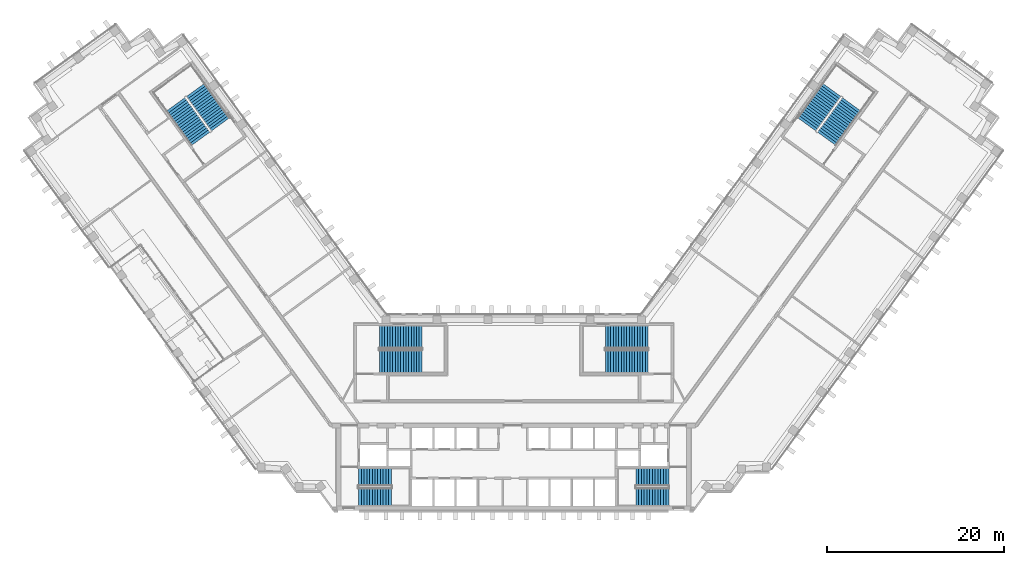
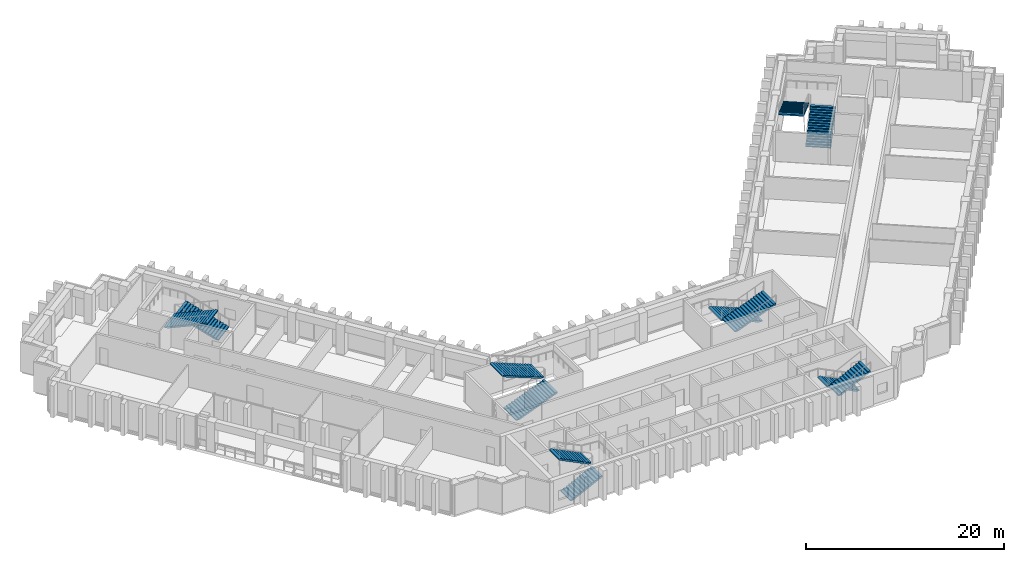
# One storey, part 13 of 16: 12 stair flights, 6 elements without a shape of their own.
"""IFC4 building model written with IfcOpenShell, lengths in metres."""

from ifc_helpers import new_model, si_unit, direction, frame, origin, place, context, subcontext, project, spatial, polyline, outline, extrude, material, type_object, element, aggregate, save


model = new_model("IFC4")

# Units and contexts
model_context = context("Model", 3, precision=1e-05, world=origin(), true_north=direction((0.0, 1.0)))
body_context = subcontext(model_context, "Body", "Model", "MODEL_VIEW")
ifc_project = project(units=[si_unit("LENGTHUNIT", "METRE"), si_unit("AREAUNIT", "SQUARE_METRE"), si_unit("VOLUMEUNIT", "CUBIC_METRE"), si_unit("PLANEANGLEUNIT", "RADIAN"), si_unit("MASSUNIT", "GRAM", prefix="KILO")], contexts=[model_context])

# Site, building, storey
site_placement = place(None, origin())
site = spatial("IfcSite", under=ifc_project, at=site_placement, CompositionType="ELEMENT")
building_placement = place(site_placement, origin())
building = spatial("IfcBuilding", under=site, at=building_placement, Name="Quipu Civic Tower", CompositionType="ELEMENT")
storey_placement = place(building_placement, frame((0.0, 0.0, 51.0)))
storey = spatial("IfcBuildingStorey", under=building, at=storey_placement, Name="L11", CompositionType="ELEMENT", Elevation=51.0)

# Stair, stair flights
ifc_material_1 = material(Name="Concrete C40/50", Category="concrete")
stair_type_1 = type_object("IfcStairType", Name="Half turn stair 2000", PredefinedType="HALF_TURN_STAIR", material=ifc_material_1)
stair_1_placement = place(storey_placement, origin())
stair_1 = element("IfcStair", 1, at=stair_1_placement, inside=storey, type_object=stair_type_1, Name="Exit stair 1", PredefinedType="HALF_TURN_STAIR")
ifc_material_2 = material(Name="Concrete C40/50", Category="concrete")
stair_flight_type_1 = type_object("IfcStairFlightType", Name="Stair flight 2000", PredefinedType="STRAIGHT", material=ifc_material_2)
stair_flight_1_placement = place(storey_placement, frame((-17.5, -9.5, 0.0), z_axis=(0.0, 0.0, 1.0), x_axis=(1.0, 0.0, 0.0)))
stair_flight_1 = element("IfcStairFlight", 2, at=stair_flight_1_placement, type_object=stair_flight_type_1, Name="ST-1 flight 1", NumberOfRisers=13, NumberOfTreads=12, PredefinedType="STRAIGHT", RiserHeight=0.153846154, TreadLength=0.31, context=body_context, shape_type="SweptSolid", body=[
    extrude(outline(polyline([(0.0, 0.0), (0.0, 0.15380859375), (0.31005859375, 0.15380859375), (0.31005859375, 0.3076171875), (0.6201171875, 0.3076171875), (0.6201171875, 0.46142578125), (0.929931640625, 0.46142578125), (0.929931640625, 0.615478515625), (1.239990234375, 0.615478515625), (1.239990234375, 0.769287109375), (1.550048828125, 0.769287109375), (1.550048828125, 0.923095703125), (1.860107421875, 0.923095703125), (1.860107421875, 1.076904296875), (2.169921875, 1.076904296875), (2.169921875, 1.230712890625), (2.47998046875, 1.230712890625), (2.47998046875, 1.384521484375), (2.7900390625, 1.384521484375), (2.7900390625, 1.53857421875), (3.10009765625, 1.53857421875), (3.10009765625, 1.6923828125), (3.409912109375, 1.6923828125), (3.409912109375, 1.84619140625), (3.719970703125, 1.84619140625), (3.719970703125, 2.0), (3.719970703125, 1.6787109375), (0.337158203125, 0.0), (0.0, 0.0)])), frame((0.0, 1.0, 0.0), z_axis=(0.0, -1.0, 0.0), x_axis=(1.0, 0.0, 0.0)), (0.0, 0.0, 1.0), 2.0),
])
stair_flight_2_placement = place(storey_placement, frame((-13.780029296875, -7.25, 2.0), z_axis=(0.0, 0.0, 1.0), x_axis=(-1.0, 0.0, 0.0)))
stair_flight_2 = element("IfcStairFlight", 3, at=stair_flight_2_placement, type_object=stair_flight_type_1, Name="ST-1 flight 2", NumberOfRisers=13, NumberOfTreads=12, PredefinedType="STRAIGHT", RiserHeight=0.153846154, TreadLength=0.31, context=body_context, shape_type="SweptSolid", body=[
    extrude(outline(polyline([(0.0, 0.0), (0.0, 0.15380859375), (0.31005859375, 0.15380859375), (0.31005859375, 0.3076171875), (0.6201171875, 0.3076171875), (0.6201171875, 0.46142578125), (0.929931640625, 0.46142578125), (0.929931640625, 0.615478515625), (1.239990234375, 0.615478515625), (1.239990234375, 0.769287109375), (1.550048828125, 0.769287109375), (1.550048828125, 0.923095703125), (1.860107421875, 0.923095703125), (1.860107421875, 1.076904296875), (2.169921875, 1.076904296875), (2.169921875, 1.230712890625), (2.47998046875, 1.230712890625), (2.47998046875, 1.384521484375), (2.7900390625, 1.384521484375), (2.7900390625, 1.53857421875), (3.10009765625, 1.53857421875), (3.10009765625, 1.6923828125), (3.409912109375, 1.6923828125), (3.409912109375, 1.84619140625), (3.719970703125, 1.84619140625), (3.719970703125, 2.0), (3.719970703125, 1.6787109375), (0.337158203125, 0.0), (0.0, 0.0)])), frame((0.0, 1.0, 0.0), z_axis=(0.0, -1.0, 0.0), x_axis=(1.0, 0.0, 0.0)), (0.0, 0.0, 1.0), 2.0),
])
aggregate(stair_1, [stair_flight_1, stair_flight_2])

stair_2_placement = place(storey_placement, origin())
stair_2 = element("IfcStair", 4, at=stair_2_placement, inside=storey, type_object=stair_type_1, Name="Exit stair 2", PredefinedType="HALF_TURN_STAIR")
stair_flight_3_placement = place(storey_placement, frame((17.5, -7.25, 0.0), z_axis=(0.0, 0.0, 1.0), x_axis=(-1.0, 0.0, 0.0)))
stair_flight_3 = element("IfcStairFlight", 5, at=stair_flight_3_placement, type_object=stair_flight_type_1, Name="ST-2 flight 1", NumberOfRisers=13, NumberOfTreads=12, PredefinedType="STRAIGHT", RiserHeight=0.153846154, TreadLength=0.31, context=body_context, shape_type="SweptSolid", body=[
    extrude(outline(polyline([(0.0, 0.0), (0.0, 0.15380859375), (0.31005859375, 0.15380859375), (0.31005859375, 0.3076171875), (0.6201171875, 0.3076171875), (0.6201171875, 0.46142578125), (0.929931640625, 0.46142578125), (0.929931640625, 0.615478515625), (1.239990234375, 0.615478515625), (1.239990234375, 0.769287109375), (1.550048828125, 0.769287109375), (1.550048828125, 0.923095703125), (1.860107421875, 0.923095703125), (1.860107421875, 1.076904296875), (2.169921875, 1.076904296875), (2.169921875, 1.230712890625), (2.47998046875, 1.230712890625), (2.47998046875, 1.384521484375), (2.7900390625, 1.384521484375), (2.7900390625, 1.53857421875), (3.10009765625, 1.53857421875), (3.10009765625, 1.6923828125), (3.409912109375, 1.6923828125), (3.409912109375, 1.84619140625), (3.719970703125, 1.84619140625), (3.719970703125, 2.0), (3.719970703125, 1.6787109375), (0.337158203125, 0.0), (0.0, 0.0)])), frame((0.0, 1.0, 0.0), z_axis=(0.0, -1.0, 0.0), x_axis=(1.0, 0.0, 0.0)), (0.0, 0.0, 1.0), 2.0),
])
stair_flight_4_placement = place(storey_placement, frame((13.780029296875, -9.5, 2.0), z_axis=(0.0, 0.0, 1.0), x_axis=(1.0, 0.0, 0.0)))
stair_flight_4 = element("IfcStairFlight", 6, at=stair_flight_4_placement, type_object=stair_flight_type_1, Name="ST-2 flight 2", NumberOfRisers=13, NumberOfTreads=12, PredefinedType="STRAIGHT", RiserHeight=0.153846154, TreadLength=0.31, context=body_context, shape_type="SweptSolid", body=[
    extrude(outline(polyline([(0.0, 0.0), (0.0, 0.15380859375), (0.31005859375, 0.15380859375), (0.31005859375, 0.3076171875), (0.6201171875, 0.3076171875), (0.6201171875, 0.46142578125), (0.929931640625, 0.46142578125), (0.929931640625, 0.615478515625), (1.239990234375, 0.615478515625), (1.239990234375, 0.769287109375), (1.550048828125, 0.769287109375), (1.550048828125, 0.923095703125), (1.860107421875, 0.923095703125), (1.860107421875, 1.076904296875), (2.169921875, 1.076904296875), (2.169921875, 1.230712890625), (2.47998046875, 1.230712890625), (2.47998046875, 1.384521484375), (2.7900390625, 1.384521484375), (2.7900390625, 1.53857421875), (3.10009765625, 1.53857421875), (3.10009765625, 1.6923828125), (3.409912109375, 1.6923828125), (3.409912109375, 1.84619140625), (3.719970703125, 1.84619140625), (3.719970703125, 2.0), (3.719970703125, 1.6787109375), (0.337158203125, 0.0), (0.0, 0.0)])), frame((0.0, 1.0, 0.0), z_axis=(0.0, -1.0, 0.0), x_axis=(1.0, 0.0, 0.0)), (0.0, 0.0, 1.0), 2.0),
])
aggregate(stair_2, [stair_flight_3, stair_flight_4])

ifc_material_3 = material(Name="Concrete C40/50", Category="concrete")
stair_type_2 = type_object("IfcStairType", Name="Half turn stair 2600", PredefinedType="HALF_TURN_STAIR", material=ifc_material_3)
stair_3_placement = place(storey_placement, origin())
stair_3 = element("IfcStair", 7, at=stair_3_placement, inside=storey, type_object=stair_type_2, Name="Exit stair 3", PredefinedType="HALF_TURN_STAIR")
ifc_material_4 = material(Name="Concrete C40/50", Category="concrete")
stair_flight_type_2 = type_object("IfcStairFlightType", Name="Stair flight 2600", PredefinedType="STRAIGHT", material=ifc_material_4)
stair_flight_5_placement = place(storey_placement, frame((-15.14990234375, 5.800048828125, 0.0), z_axis=(0.0, 0.0, 1.0), x_axis=(1.0, 0.0, 0.0)))
stair_flight_5 = element("IfcStairFlight", 8, at=stair_flight_5_placement, type_object=stair_flight_type_2, Name="ST-3 flight 1", NumberOfRisers=17, NumberOfTreads=16, PredefinedType="STRAIGHT", RiserHeight=0.117647059, TreadLength=0.3, context=body_context, shape_type="SweptSolid", body=[
    extrude(outline(polyline([(0.0, 0.0), (0.0, 0.11767578125), (0.300048828125, 0.11767578125), (0.300048828125, 0.2353515625), (0.60009765625, 0.2353515625), (0.60009765625, 0.35302734375), (0.89990234375, 0.35302734375), (0.89990234375, 0.470703125), (1.199951171875, 0.470703125), (1.199951171875, 0.588134765625), (1.5, 0.588134765625), (1.5, 0.705810546875), (1.800048828125, 0.705810546875), (1.800048828125, 0.823486328125), (2.10009765625, 0.823486328125), (2.10009765625, 0.941162109375), (2.39990234375, 0.941162109375), (2.39990234375, 1.058837890625), (2.699951171875, 1.058837890625), (2.699951171875, 1.176513671875), (3.0, 1.176513671875), (3.0, 1.294189453125), (3.300048828125, 1.294189453125), (3.300048828125, 1.411865234375), (3.60009765625, 1.411865234375), (3.60009765625, 1.529296875), (3.89990234375, 1.529296875), (3.89990234375, 1.64697265625), (4.199951171875, 1.64697265625), (4.199951171875, 1.7646484375), (4.5, 1.7646484375), (4.5, 1.88232421875), (4.800048828125, 1.88232421875), (4.800048828125, 2.0), (4.800048828125, 1.721435546875), (0.41064453125, 0.0), (0.0, 0.0)])), frame((0.0, 1.300048828125, 0.0), z_axis=(0.0, -1.0, 0.0), x_axis=(1.0, 0.0, 0.0)), (0.0, 0.0, 1.0), 2.60009765625),
])
stair_flight_6_placement = place(storey_placement, frame((-10.35009765625, 8.550048828125, 2.0), z_axis=(0.0, 0.0, 1.0), x_axis=(-1.0, 0.0, 0.0)))
stair_flight_6 = element("IfcStairFlight", 9, at=stair_flight_6_placement, type_object=stair_flight_type_2, Name="ST-3 flight 2", NumberOfRisers=17, NumberOfTreads=16, PredefinedType="STRAIGHT", RiserHeight=0.117647059, TreadLength=0.3, context=body_context, shape_type="SweptSolid", body=[
    extrude(outline(polyline([(0.0, 0.0), (0.0, 0.11767578125), (0.300048828125, 0.11767578125), (0.300048828125, 0.2353515625), (0.60009765625, 0.2353515625), (0.60009765625, 0.35302734375), (0.89990234375, 0.35302734375), (0.89990234375, 0.470703125), (1.199951171875, 0.470703125), (1.199951171875, 0.588134765625), (1.5, 0.588134765625), (1.5, 0.705810546875), (1.800048828125, 0.705810546875), (1.800048828125, 0.823486328125), (2.10009765625, 0.823486328125), (2.10009765625, 0.941162109375), (2.39990234375, 0.941162109375), (2.39990234375, 1.058837890625), (2.699951171875, 1.058837890625), (2.699951171875, 1.176513671875), (3.0, 1.176513671875), (3.0, 1.294189453125), (3.300048828125, 1.294189453125), (3.300048828125, 1.411865234375), (3.60009765625, 1.411865234375), (3.60009765625, 1.529296875), (3.89990234375, 1.529296875), (3.89990234375, 1.64697265625), (4.199951171875, 1.64697265625), (4.199951171875, 1.7646484375), (4.5, 1.7646484375), (4.5, 1.88232421875), (4.800048828125, 1.88232421875), (4.800048828125, 2.0), (4.800048828125, 1.721435546875), (0.41064453125, 0.0), (0.0, 0.0)])), frame((0.0, 1.300048828125, 0.0), z_axis=(0.0, -1.0, 0.0), x_axis=(1.0, 0.0, 0.0)), (0.0, 0.0, 1.0), 2.60009765625),
])
aggregate(stair_3, [stair_flight_5, stair_flight_6])

stair_4_placement = place(storey_placement, origin())
stair_4 = element("IfcStair", 10, at=stair_4_placement, inside=storey, type_object=stair_type_2, Name="Exit stair 4", PredefinedType="HALF_TURN_STAIR")
stair_flight_7_placement = place(storey_placement, frame((15.14990234375, 8.550048828125, 0.0), z_axis=(0.0, 0.0, 1.0), x_axis=(-1.0, 0.0, 0.0)))
stair_flight_7 = element("IfcStairFlight", 11, at=stair_flight_7_placement, type_object=stair_flight_type_2, Name="ST-4 flight 1", NumberOfRisers=17, NumberOfTreads=16, PredefinedType="STRAIGHT", RiserHeight=0.117647059, TreadLength=0.3, context=body_context, shape_type="SweptSolid", body=[
    extrude(outline(polyline([(0.0, 0.0), (0.0, 0.11767578125), (0.300048828125, 0.11767578125), (0.300048828125, 0.2353515625), (0.60009765625, 0.2353515625), (0.60009765625, 0.35302734375), (0.89990234375, 0.35302734375), (0.89990234375, 0.470703125), (1.199951171875, 0.470703125), (1.199951171875, 0.588134765625), (1.5, 0.588134765625), (1.5, 0.705810546875), (1.800048828125, 0.705810546875), (1.800048828125, 0.823486328125), (2.10009765625, 0.823486328125), (2.10009765625, 0.941162109375), (2.39990234375, 0.941162109375), (2.39990234375, 1.058837890625), (2.699951171875, 1.058837890625), (2.699951171875, 1.176513671875), (3.0, 1.176513671875), (3.0, 1.294189453125), (3.300048828125, 1.294189453125), (3.300048828125, 1.411865234375), (3.60009765625, 1.411865234375), (3.60009765625, 1.529296875), (3.89990234375, 1.529296875), (3.89990234375, 1.64697265625), (4.199951171875, 1.64697265625), (4.199951171875, 1.7646484375), (4.5, 1.7646484375), (4.5, 1.88232421875), (4.800048828125, 1.88232421875), (4.800048828125, 2.0), (4.800048828125, 1.721435546875), (0.41064453125, 0.0), (0.0, 0.0)])), frame((0.0, 1.300048828125, 0.0), z_axis=(0.0, -1.0, 0.0), x_axis=(1.0, 0.0, 0.0)), (0.0, 0.0, 1.0), 2.60009765625),
])
stair_flight_8_placement = place(storey_placement, frame((10.35009765625, 5.800048828125, 2.0), z_axis=(0.0, 0.0, 1.0), x_axis=(1.0, 0.0, 0.0)))
stair_flight_8 = element("IfcStairFlight", 12, at=stair_flight_8_placement, type_object=stair_flight_type_2, Name="ST-4 flight 2", NumberOfRisers=17, NumberOfTreads=16, PredefinedType="STRAIGHT", RiserHeight=0.117647059, TreadLength=0.3, context=body_context, shape_type="SweptSolid", body=[
    extrude(outline(polyline([(0.0, 0.0), (0.0, 0.11767578125), (0.300048828125, 0.11767578125), (0.300048828125, 0.2353515625), (0.60009765625, 0.2353515625), (0.60009765625, 0.35302734375), (0.89990234375, 0.35302734375), (0.89990234375, 0.470703125), (1.199951171875, 0.470703125), (1.199951171875, 0.588134765625), (1.5, 0.588134765625), (1.5, 0.705810546875), (1.800048828125, 0.705810546875), (1.800048828125, 0.823486328125), (2.10009765625, 0.823486328125), (2.10009765625, 0.941162109375), (2.39990234375, 0.941162109375), (2.39990234375, 1.058837890625), (2.699951171875, 1.058837890625), (2.699951171875, 1.176513671875), (3.0, 1.176513671875), (3.0, 1.294189453125), (3.300048828125, 1.294189453125), (3.300048828125, 1.411865234375), (3.60009765625, 1.411865234375), (3.60009765625, 1.529296875), (3.89990234375, 1.529296875), (3.89990234375, 1.64697265625), (4.199951171875, 1.64697265625), (4.199951171875, 1.7646484375), (4.5, 1.7646484375), (4.5, 1.88232421875), (4.800048828125, 1.88232421875), (4.800048828125, 2.0), (4.800048828125, 1.721435546875), (0.41064453125, 0.0), (0.0, 0.0)])), frame((0.0, 1.300048828125, 0.0), z_axis=(0.0, -1.0, 0.0), x_axis=(1.0, 0.0, 0.0)), (0.0, 0.0, 1.0), 2.60009765625),
])
aggregate(stair_4, [stair_flight_7, stair_flight_8])

stair_5_placement = place(storey_placement, origin())
stair_5 = element("IfcStair", 13, at=stair_5_placement, inside=storey, type_object=stair_type_2, Name="Exit stair 6", PredefinedType="HALF_TURN_STAIR")
stair_flight_9_placement = place(storey_placement, frame((-33.067626953125, 32.5322265625, 0.0), z_axis=(0.0, 0.0, 1.0), x_axis=(-0.587785252292, 0.809016994375, 0.0)))
stair_flight_9 = element("IfcStairFlight", 14, at=stair_flight_9_placement, type_object=stair_flight_type_2, Name="ST-6 flight 1", NumberOfRisers=17, NumberOfTreads=16, PredefinedType="STRAIGHT", RiserHeight=0.117647059, TreadLength=0.3, context=body_context, shape_type="SweptSolid", body=[
    extrude(outline(polyline([(0.0, 0.0), (0.0, 0.11767578125), (0.300048828125, 0.11767578125), (0.300048828125, 0.2353515625), (0.60009765625, 0.2353515625), (0.60009765625, 0.35302734375), (0.89990234375, 0.35302734375), (0.89990234375, 0.470703125), (1.199951171875, 0.470703125), (1.199951171875, 0.588134765625), (1.5, 0.588134765625), (1.5, 0.705810546875), (1.800048828125, 0.705810546875), (1.800048828125, 0.823486328125), (2.10009765625, 0.823486328125), (2.10009765625, 0.941162109375), (2.39990234375, 0.941162109375), (2.39990234375, 1.058837890625), (2.699951171875, 1.058837890625), (2.699951171875, 1.176513671875), (3.0, 1.176513671875), (3.0, 1.294189453125), (3.300048828125, 1.294189453125), (3.300048828125, 1.411865234375), (3.60009765625, 1.411865234375), (3.60009765625, 1.529296875), (3.89990234375, 1.529296875), (3.89990234375, 1.64697265625), (4.199951171875, 1.64697265625), (4.199951171875, 1.7646484375), (4.5, 1.7646484375), (4.5, 1.88232421875), (4.800048828125, 1.88232421875), (4.800048828125, 2.0), (4.800048828125, 1.721435546875), (0.41064453125, 0.0), (0.0, 0.0)])), frame((0.0, 1.300048828125, 0.0), z_axis=(0.0, -1.0, 0.0), x_axis=(1.0, 0.0, 0.0)), (0.0, 0.0, 1.0), 2.60009765625),
])
stair_flight_10_placement = place(storey_placement, frame((-38.11376953125, 34.799072265625, 2.0), z_axis=(0.0, 0.0, 1.0), x_axis=(0.587785252292, -0.809016994375, 0.0)))
stair_flight_10 = element("IfcStairFlight", 15, at=stair_flight_10_placement, type_object=stair_flight_type_2, Name="ST-6 flight 2", NumberOfRisers=17, NumberOfTreads=16, PredefinedType="STRAIGHT", RiserHeight=0.117647059, TreadLength=0.3, context=body_context, shape_type="SweptSolid", body=[
    extrude(outline(polyline([(0.0, 0.0), (0.0, 0.11767578125), (0.300048828125, 0.11767578125), (0.300048828125, 0.2353515625), (0.60009765625, 0.2353515625), (0.60009765625, 0.35302734375), (0.89990234375, 0.35302734375), (0.89990234375, 0.470703125), (1.199951171875, 0.470703125), (1.199951171875, 0.588134765625), (1.5, 0.588134765625), (1.5, 0.705810546875), (1.800048828125, 0.705810546875), (1.800048828125, 0.823486328125), (2.10009765625, 0.823486328125), (2.10009765625, 0.941162109375), (2.39990234375, 0.941162109375), (2.39990234375, 1.058837890625), (2.699951171875, 1.058837890625), (2.699951171875, 1.176513671875), (3.0, 1.176513671875), (3.0, 1.294189453125), (3.300048828125, 1.294189453125), (3.300048828125, 1.411865234375), (3.60009765625, 1.411865234375), (3.60009765625, 1.529296875), (3.89990234375, 1.529296875), (3.89990234375, 1.64697265625), (4.199951171875, 1.64697265625), (4.199951171875, 1.7646484375), (4.5, 1.7646484375), (4.5, 1.88232421875), (4.800048828125, 1.88232421875), (4.800048828125, 2.0), (4.800048828125, 1.721435546875), (0.41064453125, 0.0), (0.0, 0.0)])), frame((0.0, 1.300048828125, 0.0), z_axis=(0.0, -1.0, 0.0), x_axis=(1.0, 0.0, 0.0)), (0.0, 0.0, 1.0), 2.60009765625),
])
aggregate(stair_5, [stair_flight_9, stair_flight_10])

stair_6_placement = place(storey_placement, origin())
stair_6 = element("IfcStair", 16, at=stair_6_placement, inside=storey, type_object=stair_type_2, Name="Exit stair 7", PredefinedType="HALF_TURN_STAIR")
stair_flight_11_placement = place(storey_placement, frame((35.29248046875, 30.915771484375, 0.0), z_axis=(0.0, 0.0, 1.0), x_axis=(0.587785252292, 0.809016994375, 0.0)))
stair_flight_11 = element("IfcStairFlight", 17, at=stair_flight_11_placement, type_object=stair_flight_type_2, Name="ST-7 flight 1", NumberOfRisers=17, NumberOfTreads=16, PredefinedType="STRAIGHT", RiserHeight=0.117647059, TreadLength=0.3, context=body_context, shape_type="SweptSolid", body=[
    extrude(outline(polyline([(0.0, 0.0), (0.0, 0.11767578125), (0.300048828125, 0.11767578125), (0.300048828125, 0.2353515625), (0.60009765625, 0.2353515625), (0.60009765625, 0.35302734375), (0.89990234375, 0.35302734375), (0.89990234375, 0.470703125), (1.199951171875, 0.470703125), (1.199951171875, 0.588134765625), (1.5, 0.588134765625), (1.5, 0.705810546875), (1.800048828125, 0.705810546875), (1.800048828125, 0.823486328125), (2.10009765625, 0.823486328125), (2.10009765625, 0.941162109375), (2.39990234375, 0.941162109375), (2.39990234375, 1.058837890625), (2.699951171875, 1.058837890625), (2.699951171875, 1.176513671875), (3.0, 1.176513671875), (3.0, 1.294189453125), (3.300048828125, 1.294189453125), (3.300048828125, 1.411865234375), (3.60009765625, 1.411865234375), (3.60009765625, 1.529296875), (3.89990234375, 1.529296875), (3.89990234375, 1.64697265625), (4.199951171875, 1.64697265625), (4.199951171875, 1.7646484375), (4.5, 1.7646484375), (4.5, 1.88232421875), (4.800048828125, 1.88232421875), (4.800048828125, 2.0), (4.800048828125, 1.721435546875), (0.41064453125, 0.0), (0.0, 0.0)])), frame((0.0, 1.300048828125, 0.0), z_axis=(0.0, -1.0, 0.0), x_axis=(1.0, 0.0, 0.0)), (0.0, 0.0, 1.0), 2.60009765625),
])
stair_flight_12_placement = place(storey_placement, frame((35.888916015625, 36.41552734375, 2.0), z_axis=(0.0, 0.0, 1.0), x_axis=(-0.587785252292, -0.809016994375, 0.0)))
stair_flight_12 = element("IfcStairFlight", 18, at=stair_flight_12_placement, type_object=stair_flight_type_2, Name="ST-7 flight 2", NumberOfRisers=17, NumberOfTreads=16, PredefinedType="STRAIGHT", RiserHeight=0.117647059, TreadLength=0.3, context=body_context, shape_type="SweptSolid", body=[
    extrude(outline(polyline([(0.0, 0.0), (0.0, 0.11767578125), (0.300048828125, 0.11767578125), (0.300048828125, 0.2353515625), (0.60009765625, 0.2353515625), (0.60009765625, 0.35302734375), (0.89990234375, 0.35302734375), (0.89990234375, 0.470703125), (1.199951171875, 0.470703125), (1.199951171875, 0.588134765625), (1.5, 0.588134765625), (1.5, 0.705810546875), (1.800048828125, 0.705810546875), (1.800048828125, 0.823486328125), (2.10009765625, 0.823486328125), (2.10009765625, 0.941162109375), (2.39990234375, 0.941162109375), (2.39990234375, 1.058837890625), (2.699951171875, 1.058837890625), (2.699951171875, 1.176513671875), (3.0, 1.176513671875), (3.0, 1.294189453125), (3.300048828125, 1.294189453125), (3.300048828125, 1.411865234375), (3.60009765625, 1.411865234375), (3.60009765625, 1.529296875), (3.89990234375, 1.529296875), (3.89990234375, 1.64697265625), (4.199951171875, 1.64697265625), (4.199951171875, 1.7646484375), (4.5, 1.7646484375), (4.5, 1.88232421875), (4.800048828125, 1.88232421875), (4.800048828125, 2.0), (4.800048828125, 1.721435546875), (0.41064453125, 0.0), (0.0, 0.0)])), frame((0.0, 1.300048828125, 0.0), z_axis=(0.0, -1.0, 0.0), x_axis=(1.0, 0.0, 0.0)), (0.0, 0.0, 1.0), 2.60009765625),
])
aggregate(stair_6, [stair_flight_11, stair_flight_12])

save(model, "model.ifc")
